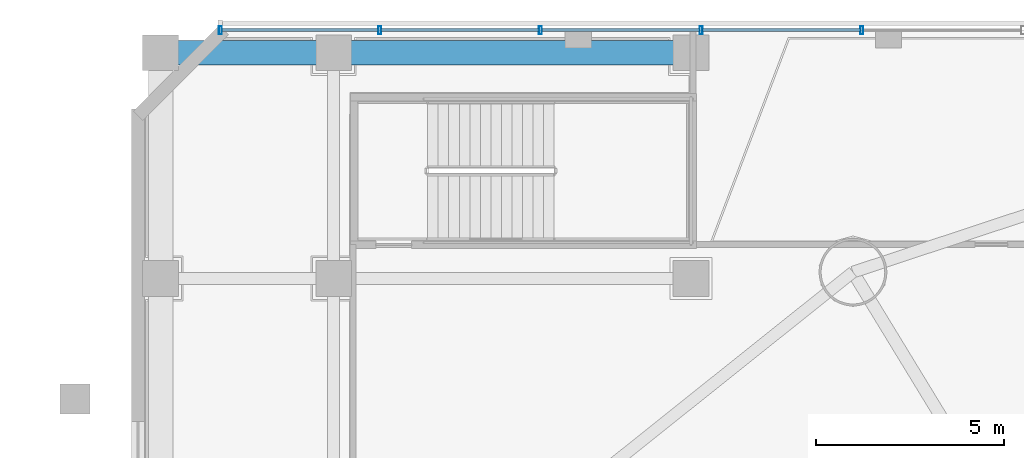
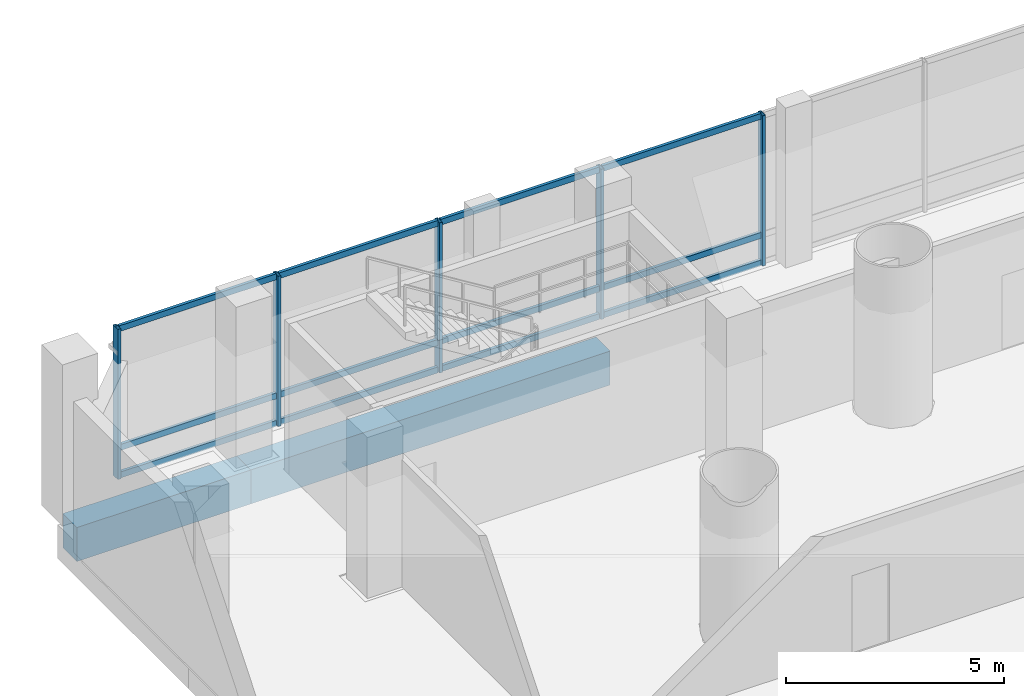
# One storey, part 11 of 36: 17 members, 2 beams, 1 element without a shape of its own.
"""IFC4 building model written with IfcOpenShell, lengths in metres."""

from ifc_helpers import new_model, si_unit, direction, frame, origin, origin_2d, place, context, subcontext, project, spatial, rectangle, hollow_rectangle, extrude, source, transform, mapped, material, material_profile, profile_set, type_object, element, aggregate, save


model = new_model("IFC4")

# Units and contexts
model_context = context("Model", 3, precision=1e-05, world=origin(), true_north=direction((-0.2419218956, 0.970295726276)))
body_context = subcontext(model_context, "Body", "Model", "MODEL_VIEW")
ifc_project = project(units=[si_unit("LENGTHUNIT", "METRE"), si_unit("AREAUNIT", "SQUARE_METRE"), si_unit("VOLUMEUNIT", "CUBIC_METRE"), si_unit("PLANEANGLEUNIT", "RADIAN"), si_unit("MASSUNIT", "GRAM", prefix="KILO")], contexts=[model_context])

# Site, building, storey
site_placement = place(None, origin())
site = spatial("IfcSite", under=ifc_project, at=site_placement, CompositionType="ELEMENT")
building_placement = place(site_placement, origin())
building = spatial("IfcBuilding", under=site, at=building_placement, Name="Cobrevalo Terracotta Tower", CompositionType="ELEMENT")
storey_placement = place(building_placement, frame((0.0, 0.0, 5.39990234375)))
storey = spatial("IfcBuildingStorey", under=building, at=storey_placement, Name="L01", CompositionType="ELEMENT", Elevation=5.39990234375)

# Beams
ifc_material_1 = material(Name="Concrete C50", Category="concrete")
ifc_material_profile_1 = material_profile(ifc_material_1, rectangle(XDim=0.64990234375, YDim=0.949951171875, at=origin_2d()), Name="RC BM 650x950")
ifc_profile_set_1 = profile_set([ifc_material_profile_1], Name="Concrete C50")
beam_type = type_object("IfcBeamType", Name="Structural Spandrel RC BM 650x950 (Concrete C50)", PredefinedType="SPANDREL", material=ifc_profile_set_1)
beam_1_placement = place(storey_placement, frame((4.39990234375, 50.800048828125, -0.77490234375), z_axis=(1.0, 0.0, 0.0), x_axis=(0.0, 1.0, 0.0)))
element("IfcBeam", 1, at=beam_1_placement, inside=storey, type_object=beam_type, Name="L01 podium grid beam G1-GG to G2-GG", PredefinedType="SPANDREL", context=body_context, shape_type="SweptSolid", body=[
    extrude(rectangle(XDim=0.64990234375, YDim=0.949951171875, at=origin_2d()), origin(), (0.0, 0.0, 1.0), 4.60009765625),
])
beam_2_placement = place(storey_placement, frame((9.0, 50.800048828125, -0.77490234375), z_axis=(1.0, 0.0, 0.0), x_axis=(0.0, 1.0, 0.0)))
element("IfcBeam", 2, at=beam_2_placement, inside=storey, type_object=beam_type, Name="L01 podium grid beam G2-GG to G3-GG", PredefinedType="SPANDREL", context=body_context, shape_type="SweptSolid", body=[
    extrude(rectangle(XDim=0.64990234375, YDim=0.949951171875, at=origin_2d()), origin(), (0.0, 0.0, 1.0), 9.5),
])

# Curtain wall, members
ifc_material_2 = material(Name="Anodized aluminium", Category="aluminium")
curtain_wall_type = type_object("IfcCurtainWallType", Name="Double-height storefront stick curtain wall CW-S1", PredefinedType="NOTDEFINED", material=ifc_material_2)
curtain_wall_placement = place(storey_placement, origin())
curtain_wall = element("IfcCurtainWall", 3, at=curtain_wall_placement, inside=storey, type_object=curtain_wall_type, Name="L01 curtain wall CW-POD-L01-N", PredefinedType="NOTDEFINED")
ifc_material_profile_2 = material_profile(ifc_material_2, hollow_rectangle(XDim=0.080078125, YDim=0.219970703125, WallThickness=0.0048828125, at=origin_2d()), Name="CWM 80x220")
ifc_profile_set_2 = profile_set([ifc_material_profile_2], Name="Anodized aluminium")
member_type_1 = type_object("IfcMemberType", Name="Storefront & atrium aluminium mullion 80x220", PredefinedType="MULLION", material=ifc_profile_set_2)
shared_shape_1 = source(origin(), body_context, "Body", "SweptSolid", [
    extrude(hollow_rectangle(XDim=0.080078125, YDim=0.219970703125, WallThickness=0.0048828125, at=origin_2d()), origin(), (0.0, 0.0, 1.0), 4.2001953125),
])
member_1_placement = place(storey_placement, frame((23.043212890625, 51.39990234375, 0.0), z_axis=(0.0, 0.0, 1.0), x_axis=(-1.0, 0.0, 0.0)))
member_1 = element("IfcMember", 4, at=member_1_placement, type_object=member_type_1, Name="CW-POD-L01-N vertical mullion 12", PredefinedType="MULLION", context=body_context, shape_type="MappedRepresentation", body=[
    mapped(shared_shape_1, transform((0.0, 0.0, 0.0), scale=1.0)),
])
member_2_placement = place(storey_placement, frame((18.77001953125, 51.39990234375, 0.0), z_axis=(0.0, 0.0, 1.0), x_axis=(-1.0, 0.0, 0.0)))
member_2 = element("IfcMember", 5, at=member_2_placement, type_object=member_type_1, Name="CW-POD-L01-N vertical mullion 13", PredefinedType="MULLION", context=body_context, shape_type="MappedRepresentation", body=[
    mapped(shared_shape_1, transform((0.0, 0.0, 0.0), scale=1.0)),
])
member_3_placement = place(storey_placement, frame((14.49658203125, 51.39990234375, 0.0), z_axis=(0.0, 0.0, 1.0), x_axis=(-1.0, 0.0, 0.0)))
member_3 = element("IfcMember", 6, at=member_3_placement, type_object=member_type_1, Name="CW-POD-L01-N vertical mullion 14", PredefinedType="MULLION", context=body_context, shape_type="MappedRepresentation", body=[
    mapped(shared_shape_1, transform((0.0, 0.0, 0.0), scale=1.0)),
])
member_4_placement = place(storey_placement, frame((10.223388671875, 51.39990234375, 0.0), z_axis=(0.0, 0.0, 1.0), x_axis=(-1.0, 0.0, 0.0)))
member_4 = element("IfcMember", 7, at=member_4_placement, type_object=member_type_1, Name="CW-POD-L01-N vertical mullion 15", PredefinedType="MULLION", context=body_context, shape_type="MappedRepresentation", body=[
    mapped(shared_shape_1, transform((0.0, 0.0, 0.0), scale=1.0)),
])
member_5_placement = place(storey_placement, frame((5.989990234375, 51.39990234375, 0.0), z_axis=(0.0, 0.0, 1.0), x_axis=(-1.0, 0.0, 0.0)))
member_5 = element("IfcMember", 8, at=member_5_placement, type_object=member_type_1, Name="CW-POD-L01-N vertical mullion 16", PredefinedType="MULLION", context=body_context, shape_type="MappedRepresentation", body=[
    mapped(shared_shape_1, transform((0.0, 0.0, 0.0), scale=1.0)),
])
ifc_material_profile_3 = material_profile(ifc_material_2, hollow_rectangle(XDim=0.080078125, YDim=0.1650390625, WallThickness=0.00439453125, at=origin_2d()), Name="CWT 80x165")
ifc_profile_set_3 = profile_set([ifc_material_profile_3], Name="Anodized aluminium")
member_type_2 = type_object("IfcMemberType", Name="Storefront & atrium aluminium transom 80x165", PredefinedType="USERDEFINED", material=ifc_profile_set_3)
shared_shape_2 = source(origin(), body_context, "Body", "SweptSolid", [
    extrude(hollow_rectangle(XDim=0.080078125, YDim=0.1650390625, WallThickness=0.00439453125, at=origin_2d()), origin(), (0.0, 0.0, 1.0), 4.1533203125),
])
member_6_placement = place(storey_placement, frame((10.183349609375, 51.39990234375, 0.050048828125), z_axis=(-1.0, 0.0, 0.0), x_axis=(0.0, -1.0, 0.0)))
member_6 = element("IfcMember", 9, at=member_6_placement, type_object=member_type_2, Name="CW-POD-L01-N transom B15-T1", ObjectType="TRANSOM", PredefinedType="USERDEFINED", context=body_context, shape_type="MappedRepresentation", body=[
    mapped(shared_shape_2, transform((0.0, 0.0, 0.0), scale=1.0)),
])
member_7_placement = place(storey_placement, frame((10.183349609375, 51.39990234375, 0.820068359375), z_axis=(-1.0, 0.0, 0.0), x_axis=(0.0, -1.0, 0.0)))
member_7 = element("IfcMember", 10, at=member_7_placement, type_object=member_type_2, Name="CW-POD-L01-N transom B15-T2", ObjectType="TRANSOM", PredefinedType="USERDEFINED", context=body_context, shape_type="MappedRepresentation", body=[
    mapped(shared_shape_2, transform((0.0, 0.0, 0.0), scale=1.0)),
])
member_8_placement = place(storey_placement, frame((10.183349609375, 51.39990234375, 4.150146484375), z_axis=(-1.0, 0.0, 0.0), x_axis=(0.0, -1.0, 0.0)))
member_8 = element("IfcMember", 11, at=member_8_placement, type_object=member_type_2, Name="CW-POD-L01-N transom B15-T3", ObjectType="TRANSOM", PredefinedType="USERDEFINED", context=body_context, shape_type="MappedRepresentation", body=[
    mapped(shared_shape_2, transform((0.0, 0.0, 0.0), scale=1.0)),
])
shared_shape_3 = source(origin(), body_context, "Body", "SweptSolid", [
    extrude(hollow_rectangle(XDim=0.080078125, YDim=0.1650390625, WallThickness=0.00439453125, at=origin_2d()), origin(), (0.0, 0.0, 1.0), 4.193359375),
])
member_9_placement = place(storey_placement, frame((23.00341796875, 51.39990234375, 0.050048828125), z_axis=(-1.0, 0.0, 0.0), x_axis=(0.0, -1.0, 0.0)))
member_9 = element("IfcMember", 12, at=member_9_placement, type_object=member_type_2, Name="CW-POD-L01-N transom B12-T1", ObjectType="TRANSOM", PredefinedType="USERDEFINED", context=body_context, shape_type="MappedRepresentation", body=[
    mapped(shared_shape_3, transform((0.0, 0.0, 0.0), scale=1.0)),
])
member_10_placement = place(storey_placement, frame((23.00341796875, 51.39990234375, 0.820068359375), z_axis=(-1.0, 0.0, 0.0), x_axis=(0.0, -1.0, 0.0)))
member_10 = element("IfcMember", 13, at=member_10_placement, type_object=member_type_2, Name="CW-POD-L01-N transom B12-T2", ObjectType="TRANSOM", PredefinedType="USERDEFINED", context=body_context, shape_type="MappedRepresentation", body=[
    mapped(shared_shape_3, transform((0.0, 0.0, 0.0), scale=1.0)),
])
member_11_placement = place(storey_placement, frame((23.00341796875, 51.39990234375, 4.150146484375), z_axis=(-1.0, 0.0, 0.0), x_axis=(0.0, -1.0, 0.0)))
member_11 = element("IfcMember", 14, at=member_11_placement, type_object=member_type_2, Name="CW-POD-L01-N transom B12-T3", ObjectType="TRANSOM", PredefinedType="USERDEFINED", context=body_context, shape_type="MappedRepresentation", body=[
    mapped(shared_shape_3, transform((0.0, 0.0, 0.0), scale=1.0)),
])
member_12_placement = place(storey_placement, frame((18.72998046875, 51.39990234375, 0.050048828125), z_axis=(-1.0, 0.0, 0.0), x_axis=(0.0, -1.0, 0.0)))
member_12 = element("IfcMember", 15, at=member_12_placement, type_object=member_type_2, Name="CW-POD-L01-N transom B13-T1", ObjectType="TRANSOM", PredefinedType="USERDEFINED", context=body_context, shape_type="MappedRepresentation", body=[
    mapped(shared_shape_3, transform((0.0, 0.0, 0.0), scale=1.0)),
])
member_13_placement = place(storey_placement, frame((18.72998046875, 51.39990234375, 0.820068359375), z_axis=(-1.0, 0.0, 0.0), x_axis=(0.0, -1.0, 0.0)))
member_13 = element("IfcMember", 16, at=member_13_placement, type_object=member_type_2, Name="CW-POD-L01-N transom B13-T2", ObjectType="TRANSOM", PredefinedType="USERDEFINED", context=body_context, shape_type="MappedRepresentation", body=[
    mapped(shared_shape_3, transform((0.0, 0.0, 0.0), scale=1.0)),
])
member_14_placement = place(storey_placement, frame((18.72998046875, 51.39990234375, 4.150146484375), z_axis=(-1.0, 0.0, 0.0), x_axis=(0.0, -1.0, 0.0)))
member_14 = element("IfcMember", 17, at=member_14_placement, type_object=member_type_2, Name="CW-POD-L01-N transom B13-T3", ObjectType="TRANSOM", PredefinedType="USERDEFINED", context=body_context, shape_type="MappedRepresentation", body=[
    mapped(shared_shape_3, transform((0.0, 0.0, 0.0), scale=1.0)),
])
member_15_placement = place(storey_placement, frame((14.456787109375, 51.39990234375, 0.050048828125), z_axis=(-1.0, 0.0, 0.0), x_axis=(0.0, -1.0, 0.0)))
member_15 = element("IfcMember", 18, at=member_15_placement, type_object=member_type_2, Name="CW-POD-L01-N transom B14-T1", ObjectType="TRANSOM", PredefinedType="USERDEFINED", context=body_context, shape_type="MappedRepresentation", body=[
    mapped(shared_shape_3, transform((0.0, 0.0, 0.0), scale=1.0)),
])
member_16_placement = place(storey_placement, frame((14.456787109375, 51.39990234375, 0.820068359375), z_axis=(-1.0, 0.0, 0.0), x_axis=(0.0, -1.0, 0.0)))
member_16 = element("IfcMember", 19, at=member_16_placement, type_object=member_type_2, Name="CW-POD-L01-N transom B14-T2", ObjectType="TRANSOM", PredefinedType="USERDEFINED", context=body_context, shape_type="MappedRepresentation", body=[
    mapped(shared_shape_3, transform((0.0, 0.0, 0.0), scale=1.0)),
])
member_17_placement = place(storey_placement, frame((14.456787109375, 51.39990234375, 4.150146484375), z_axis=(-1.0, 0.0, 0.0), x_axis=(0.0, -1.0, 0.0)))
member_17 = element("IfcMember", 20, at=member_17_placement, type_object=member_type_2, Name="CW-POD-L01-N transom B14-T3", ObjectType="TRANSOM", PredefinedType="USERDEFINED", context=body_context, shape_type="MappedRepresentation", body=[
    mapped(shared_shape_3, transform((0.0, 0.0, 0.0), scale=1.0)),
])
aggregate(curtain_wall, [member_1, member_2, member_3, member_4, member_5, member_9, member_10, member_11, member_12, member_13, member_14, member_15, member_16, member_17, member_6, member_7, member_8])

save(model, "model.ifc")
